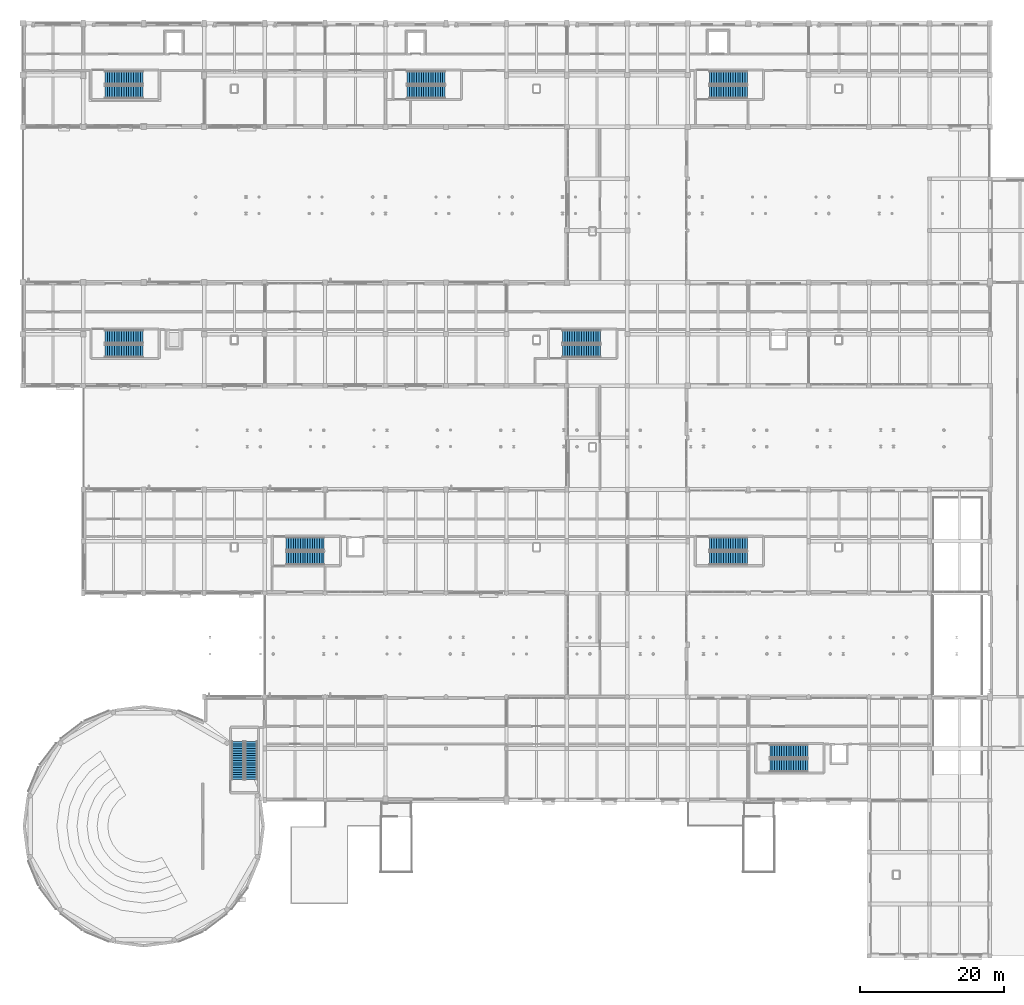
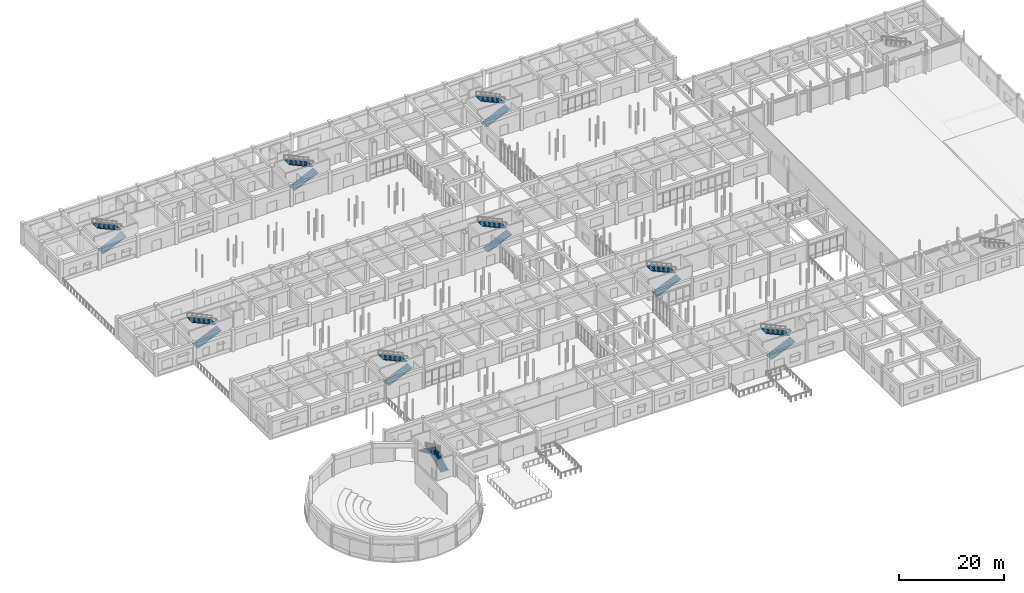
# One storey, part 91 of 121: 18 stair flights, 9 elements without a shape of their own.
"""IFC4 building model written with IfcOpenShell, lengths in metres."""

from ifc_helpers import new_model, si_unit, direction, frame, origin, place, context, subcontext, project, spatial, polyline, outline, extrude, material, layer, layer_set, type_object, element, aggregate, save


model = new_model("IFC4")

# Units and contexts
model_context = context("Model", 3, precision=1e-05, world=origin(), true_north=direction((0.0, 1.0)))
body_context = subcontext(model_context, "Body", "Model", "MODEL_VIEW")
ifc_project = project(units=[si_unit("LENGTHUNIT", "METRE"), si_unit("AREAUNIT", "SQUARE_METRE"), si_unit("VOLUMEUNIT", "CUBIC_METRE"), si_unit("PLANEANGLEUNIT", "RADIAN"), si_unit("MASSUNIT", "GRAM", prefix="KILO")], contexts=[model_context])

# Site, building, storey
site_placement = place(None, origin())
site = spatial("IfcSite", under=ifc_project, at=site_placement, CompositionType="ELEMENT")
building_placement = place(site_placement, origin())
building = spatial("IfcBuilding", under=site, at=building_placement, Name="Malvenik Polytechnic", CompositionType="ELEMENT")
storey_placement = place(building_placement, origin())
storey = spatial("IfcBuildingStorey", under=building, at=storey_placement, Name="L00", CompositionType="ELEMENT", Elevation=0.0)

# Stair, stair flights
ifc_material = material(Name="Concrete C35/45", Category="concrete")
stair_type_1 = type_object("IfcStairType", Name="ARC-STR-ST-09", PredefinedType="HALF_TURN_STAIR", material=ifc_material)
stair_1_placement = place(storey_placement, origin())
stair_1 = element("IfcStair", 1, at=stair_1_placement, inside=storey, type_object=stair_type_1, Name="L00 Escape Stair ST-09", PredefinedType="HALF_TURN_STAIR")
ifc_layer_1 = layer(ifc_material, 0.159912109375)
ifc_layer_set_1 = layer_set([ifc_layer_1], Name="Concrete C35/45")
stair_flight_type_1 = type_object("IfcStairFlightType", Name="ARC-SFL-SFL-170A", PredefinedType="STRAIGHT", material=ifc_layer_set_1)
stair_flight_1_placement = place(storey_placement, frame((31.75, 24.5, 0.0), z_axis=(0.0, 0.0, 1.0), x_axis=(0.0, 1.0, 0.0)))
stair_flight_1 = element("IfcStairFlight", 2, at=stair_flight_1_placement, type_object=stair_flight_type_1, Name="ST-09 flight 1", NumberOfRisers=17, NumberOfTreads=16, PredefinedType="STRAIGHT", RiserHeight=0.15, TreadLength=0.33, context=body_context, shape_type="SweptSolid", body=[
    extrude(outline(polyline([(0.0, 0.0), (0.0, 0.14990234375), (0.330078125, 0.14990234375), (0.330078125, 0.300048828125), (0.659912109375, 0.300048828125), (0.659912109375, 0.449951171875), (0.989990234375, 0.449951171875), (0.989990234375, 0.60009765625), (1.320068359375, 0.60009765625), (1.320068359375, 0.75), (1.64990234375, 0.75), (1.64990234375, 0.89990234375), (1.97998046875, 0.89990234375), (1.97998046875, 1.050048828125), (2.31005859375, 1.050048828125), (2.31005859375, 1.199951171875), (2.639892578125, 1.199951171875), (2.639892578125, 1.35009765625), (2.969970703125, 1.35009765625), (2.969970703125, 1.5), (3.300048828125, 1.5), (3.300048828125, 1.64990234375), (3.6298828125, 1.64990234375), (3.6298828125, 1.800048828125), (3.9599609375, 1.800048828125), (3.9599609375, 1.949951171875), (4.2900390625, 1.949951171875), (4.2900390625, 2.10009765625), (4.6201171875, 2.10009765625), (4.6201171875, 2.25), (4.949951171875, 2.25), (4.949951171875, 2.39990234375), (5.280029296875, 2.39990234375), (5.280029296875, 2.550048828125), (5.280029296875, 2.224365234375), (0.386474609375, 0.0), (0.0, 0.0)])), frame((0.0, 0.85009765625, 0.0), z_axis=(0.0, -1.0, 0.0), x_axis=(1.0, 0.0, 0.0)), (0.0, 0.0, 1.0), 1.699951171875),
])
stair_flight_2_placement = place(storey_placement, frame((29.85009765625, 29.780029296875, 2.550048828125), z_axis=(0.0, 0.0, 1.0), x_axis=(0.0, -1.0, 0.0)))
stair_flight_2 = element("IfcStairFlight", 3, at=stair_flight_2_placement, type_object=stair_flight_type_1, Name="ST-09 flight 2", NumberOfRisers=17, NumberOfTreads=16, PredefinedType="STRAIGHT", RiserHeight=0.15, TreadLength=0.33, context=body_context, shape_type="SweptSolid", body=[
    extrude(outline(polyline([(0.0, 0.0), (0.0, 0.14990234375), (0.330078125, 0.14990234375), (0.330078125, 0.300048828125), (0.659912109375, 0.300048828125), (0.659912109375, 0.449951171875), (0.989990234375, 0.449951171875), (0.989990234375, 0.60009765625), (1.320068359375, 0.60009765625), (1.320068359375, 0.75), (1.64990234375, 0.75), (1.64990234375, 0.89990234375), (1.97998046875, 0.89990234375), (1.97998046875, 1.050048828125), (2.31005859375, 1.050048828125), (2.31005859375, 1.199951171875), (2.639892578125, 1.199951171875), (2.639892578125, 1.35009765625), (2.969970703125, 1.35009765625), (2.969970703125, 1.5), (3.300048828125, 1.5), (3.300048828125, 1.64990234375), (3.6298828125, 1.64990234375), (3.6298828125, 1.800048828125), (3.9599609375, 1.800048828125), (3.9599609375, 1.949951171875), (4.2900390625, 1.949951171875), (4.2900390625, 2.10009765625), (4.6201171875, 2.10009765625), (4.6201171875, 2.25), (4.949951171875, 2.25), (4.949951171875, 2.39990234375), (5.280029296875, 2.39990234375), (5.280029296875, 2.550048828125), (5.280029296875, 2.224365234375), (0.386474609375, 0.0), (0.0, 0.0)])), frame((0.0, 0.85009765625, 0.0), z_axis=(0.0, -1.0, 0.0), x_axis=(1.0, 0.0, 0.0)), (0.0, 0.0, 1.0), 1.699951171875),
])
aggregate(stair_1, [stair_flight_1, stair_flight_2])

stair_type_2 = type_object("IfcStairType", Name="ARC-STR-ST-01", PredefinedType="HALF_TURN_STAIR", material=ifc_material)
stair_2_placement = place(storey_placement, origin())
stair_2 = element("IfcStair", 4, at=stair_2_placement, inside=storey, type_object=stair_type_2, Name="L00 Escape Stair ST-01", PredefinedType="HALF_TURN_STAIR")
ifc_layer_2 = layer(ifc_material, 0.159912109375)
ifc_layer_set_2 = layer_set([ifc_layer_2], Name="Concrete C35/45")
stair_flight_type_2 = type_object("IfcStairFlightType", Name="ARC-SFL-SFL-180A", PredefinedType="STRAIGHT", material=ifc_layer_set_2)
stair_flight_3_placement = place(storey_placement, frame((11.39990234375, 120.050048828125, 0.0), z_axis=(0.0, 0.0, 1.0), x_axis=(1.0, 0.0, 0.0)))
stair_flight_3 = element("IfcStairFlight", 5, at=stair_flight_3_placement, type_object=stair_flight_type_2, Name="ST-01 flight 1", NumberOfRisers=17, NumberOfTreads=16, PredefinedType="STRAIGHT", RiserHeight=0.15, TreadLength=0.33, context=body_context, shape_type="SweptSolid", body=[
    extrude(outline(polyline([(0.0, 0.0), (0.0, 0.14990234375), (0.330078125, 0.14990234375), (0.330078125, 0.300048828125), (0.659912109375, 0.300048828125), (0.659912109375, 0.449951171875), (0.989990234375, 0.449951171875), (0.989990234375, 0.60009765625), (1.320068359375, 0.60009765625), (1.320068359375, 0.75), (1.64990234375, 0.75), (1.64990234375, 0.89990234375), (1.97998046875, 0.89990234375), (1.97998046875, 1.050048828125), (2.31005859375, 1.050048828125), (2.31005859375, 1.199951171875), (2.639892578125, 1.199951171875), (2.639892578125, 1.35009765625), (2.969970703125, 1.35009765625), (2.969970703125, 1.5), (3.300048828125, 1.5), (3.300048828125, 1.64990234375), (3.6298828125, 1.64990234375), (3.6298828125, 1.800048828125), (3.9599609375, 1.800048828125), (3.9599609375, 1.949951171875), (4.2900390625, 1.949951171875), (4.2900390625, 2.10009765625), (4.6201171875, 2.10009765625), (4.6201171875, 2.25), (4.949951171875, 2.25), (4.949951171875, 2.39990234375), (5.280029296875, 2.39990234375), (5.280029296875, 2.550048828125), (5.280029296875, 2.224365234375), (0.386474609375, 0.0), (0.0, 0.0)])), frame((0.0, 0.89990234375, 0.0), z_axis=(0.0, -1.0, 0.0), x_axis=(1.0, 0.0, 0.0)), (0.0, 0.0, 1.0), 1.800048828125),
])
stair_flight_4_placement = place(storey_placement, frame((16.679931640625, 122.050048828125, 2.550048828125), z_axis=(0.0, 0.0, 1.0), x_axis=(-1.0, 0.0, 0.0)))
stair_flight_4 = element("IfcStairFlight", 6, at=stair_flight_4_placement, type_object=stair_flight_type_2, Name="ST-01 flight 2", NumberOfRisers=17, NumberOfTreads=16, PredefinedType="STRAIGHT", RiserHeight=0.15, TreadLength=0.33, context=body_context, shape_type="SweptSolid", body=[
    extrude(outline(polyline([(0.0, 0.0), (0.0, 0.14990234375), (0.330078125, 0.14990234375), (0.330078125, 0.300048828125), (0.659912109375, 0.300048828125), (0.659912109375, 0.449951171875), (0.989990234375, 0.449951171875), (0.989990234375, 0.60009765625), (1.320068359375, 0.60009765625), (1.320068359375, 0.75), (1.64990234375, 0.75), (1.64990234375, 0.89990234375), (1.97998046875, 0.89990234375), (1.97998046875, 1.050048828125), (2.31005859375, 1.050048828125), (2.31005859375, 1.199951171875), (2.639892578125, 1.199951171875), (2.639892578125, 1.35009765625), (2.969970703125, 1.35009765625), (2.969970703125, 1.5), (3.300048828125, 1.5), (3.300048828125, 1.64990234375), (3.6298828125, 1.64990234375), (3.6298828125, 1.800048828125), (3.9599609375, 1.800048828125), (3.9599609375, 1.949951171875), (4.2900390625, 1.949951171875), (4.2900390625, 2.10009765625), (4.6201171875, 2.10009765625), (4.6201171875, 2.25), (4.949951171875, 2.25), (4.949951171875, 2.39990234375), (5.280029296875, 2.39990234375), (5.280029296875, 2.550048828125), (5.280029296875, 2.224365234375), (0.386474609375, 0.0), (0.0, 0.0)])), frame((0.0, 0.89990234375, 0.0), z_axis=(0.0, -1.0, 0.0), x_axis=(1.0, 0.0, 0.0)), (0.0, 0.0, 1.0), 1.800048828125),
])
aggregate(stair_2, [stair_flight_3, stair_flight_4])

stair_type_3 = type_object("IfcStairType", Name="ARC-STR-ST-03", PredefinedType="HALF_TURN_STAIR", material=ifc_material)
stair_3_placement = place(storey_placement, origin())
stair_3 = element("IfcStair", 7, at=stair_3_placement, inside=storey, type_object=stair_type_3, Name="L00 Escape Stair ST-03", PredefinedType="HALF_TURN_STAIR")
stair_flight_5_placement = place(storey_placement, frame((95.39990234375, 120.050048828125, 0.0), z_axis=(0.0, 0.0, 1.0), x_axis=(1.0, 0.0, 0.0)))
stair_flight_5 = element("IfcStairFlight", 8, at=stair_flight_5_placement, type_object=stair_flight_type_2, Name="ST-03 flight 1", NumberOfRisers=17, NumberOfTreads=16, PredefinedType="STRAIGHT", RiserHeight=0.15, TreadLength=0.33, context=body_context, shape_type="SweptSolid", body=[
    extrude(outline(polyline([(0.0, 0.0), (0.0, 0.14990234375), (0.330078125, 0.14990234375), (0.330078125, 0.300048828125), (0.659912109375, 0.300048828125), (0.659912109375, 0.449951171875), (0.989990234375, 0.449951171875), (0.989990234375, 0.60009765625), (1.320068359375, 0.60009765625), (1.320068359375, 0.75), (1.64990234375, 0.75), (1.64990234375, 0.89990234375), (1.97998046875, 0.89990234375), (1.97998046875, 1.050048828125), (2.31005859375, 1.050048828125), (2.31005859375, 1.199951171875), (2.639892578125, 1.199951171875), (2.639892578125, 1.35009765625), (2.969970703125, 1.35009765625), (2.969970703125, 1.5), (3.300048828125, 1.5), (3.300048828125, 1.64990234375), (3.6298828125, 1.64990234375), (3.6298828125, 1.800048828125), (3.9599609375, 1.800048828125), (3.9599609375, 1.949951171875), (4.2900390625, 1.949951171875), (4.2900390625, 2.10009765625), (4.6201171875, 2.10009765625), (4.6201171875, 2.25), (4.949951171875, 2.25), (4.949951171875, 2.39990234375), (5.280029296875, 2.39990234375), (5.280029296875, 2.550048828125), (5.280029296875, 2.224365234375), (0.386474609375, 0.0), (0.0, 0.0)])), frame((0.0, 0.89990234375, 0.0), z_axis=(0.0, -1.0, 0.0), x_axis=(1.0, 0.0, 0.0)), (0.0, 0.0, 1.0), 1.800048828125),
])
stair_flight_6_placement = place(storey_placement, frame((100.679931640625, 122.050048828125, 2.550048828125), z_axis=(0.0, 0.0, 1.0), x_axis=(-1.0, 0.0, 0.0)))
stair_flight_6 = element("IfcStairFlight", 9, at=stair_flight_6_placement, type_object=stair_flight_type_2, Name="ST-03 flight 2", NumberOfRisers=17, NumberOfTreads=16, PredefinedType="STRAIGHT", RiserHeight=0.15, TreadLength=0.33, context=body_context, shape_type="SweptSolid", body=[
    extrude(outline(polyline([(0.0, 0.0), (0.0, 0.14990234375), (0.330078125, 0.14990234375), (0.330078125, 0.300048828125), (0.659912109375, 0.300048828125), (0.659912109375, 0.449951171875), (0.989990234375, 0.449951171875), (0.989990234375, 0.60009765625), (1.320068359375, 0.60009765625), (1.320068359375, 0.75), (1.64990234375, 0.75), (1.64990234375, 0.89990234375), (1.97998046875, 0.89990234375), (1.97998046875, 1.050048828125), (2.31005859375, 1.050048828125), (2.31005859375, 1.199951171875), (2.639892578125, 1.199951171875), (2.639892578125, 1.35009765625), (2.969970703125, 1.35009765625), (2.969970703125, 1.5), (3.300048828125, 1.5), (3.300048828125, 1.64990234375), (3.6298828125, 1.64990234375), (3.6298828125, 1.800048828125), (3.9599609375, 1.800048828125), (3.9599609375, 1.949951171875), (4.2900390625, 1.949951171875), (4.2900390625, 2.10009765625), (4.6201171875, 2.10009765625), (4.6201171875, 2.25), (4.949951171875, 2.25), (4.949951171875, 2.39990234375), (5.280029296875, 2.39990234375), (5.280029296875, 2.550048828125), (5.280029296875, 2.224365234375), (0.386474609375, 0.0), (0.0, 0.0)])), frame((0.0, 0.89990234375, 0.0), z_axis=(0.0, -1.0, 0.0), x_axis=(1.0, 0.0, 0.0)), (0.0, 0.0, 1.0), 1.800048828125),
])
aggregate(stair_3, [stair_flight_5, stair_flight_6])

stair_type_4 = type_object("IfcStairType", Name="ARC-STR-ST-05", PredefinedType="HALF_TURN_STAIR", material=ifc_material)
stair_4_placement = place(storey_placement, origin())
stair_4 = element("IfcStair", 10, at=stair_4_placement, inside=storey, type_object=stair_type_4, Name="L00 Escape Stair ST-05", PredefinedType="HALF_TURN_STAIR")
stair_flight_7_placement = place(storey_placement, frame((75.0, 84.050048828125, 0.0), z_axis=(0.0, 0.0, 1.0), x_axis=(1.0, 0.0, 0.0)))
stair_flight_7 = element("IfcStairFlight", 11, at=stair_flight_7_placement, type_object=stair_flight_type_2, Name="ST-05 flight 1", NumberOfRisers=17, NumberOfTreads=16, PredefinedType="STRAIGHT", RiserHeight=0.15, TreadLength=0.33, context=body_context, shape_type="SweptSolid", body=[
    extrude(outline(polyline([(0.0, 0.0), (0.0, 0.14990234375), (0.330078125, 0.14990234375), (0.330078125, 0.300048828125), (0.659912109375, 0.300048828125), (0.659912109375, 0.449951171875), (0.989990234375, 0.449951171875), (0.989990234375, 0.60009765625), (1.320068359375, 0.60009765625), (1.320068359375, 0.75), (1.64990234375, 0.75), (1.64990234375, 0.89990234375), (1.97998046875, 0.89990234375), (1.97998046875, 1.050048828125), (2.31005859375, 1.050048828125), (2.31005859375, 1.199951171875), (2.639892578125, 1.199951171875), (2.639892578125, 1.35009765625), (2.969970703125, 1.35009765625), (2.969970703125, 1.5), (3.300048828125, 1.5), (3.300048828125, 1.64990234375), (3.6298828125, 1.64990234375), (3.6298828125, 1.800048828125), (3.9599609375, 1.800048828125), (3.9599609375, 1.949951171875), (4.2900390625, 1.949951171875), (4.2900390625, 2.10009765625), (4.6201171875, 2.10009765625), (4.6201171875, 2.25), (4.949951171875, 2.25), (4.949951171875, 2.39990234375), (5.280029296875, 2.39990234375), (5.280029296875, 2.550048828125), (5.280029296875, 2.224365234375), (0.386474609375, 0.0), (0.0, 0.0)])), frame((0.0, 0.89990234375, 0.0), z_axis=(0.0, -1.0, 0.0), x_axis=(1.0, 0.0, 0.0)), (0.0, 0.0, 1.0), 1.800048828125),
])
stair_flight_8_placement = place(storey_placement, frame((80.280029296875, 86.050048828125, 2.550048828125), z_axis=(0.0, 0.0, 1.0), x_axis=(-1.0, 0.0, 0.0)))
stair_flight_8 = element("IfcStairFlight", 12, at=stair_flight_8_placement, type_object=stair_flight_type_2, Name="ST-05 flight 2", NumberOfRisers=17, NumberOfTreads=16, PredefinedType="STRAIGHT", RiserHeight=0.15, TreadLength=0.33, context=body_context, shape_type="SweptSolid", body=[
    extrude(outline(polyline([(0.0, 0.0), (0.0, 0.14990234375), (0.330078125, 0.14990234375), (0.330078125, 0.300048828125), (0.659912109375, 0.300048828125), (0.659912109375, 0.449951171875), (0.989990234375, 0.449951171875), (0.989990234375, 0.60009765625), (1.320068359375, 0.60009765625), (1.320068359375, 0.75), (1.64990234375, 0.75), (1.64990234375, 0.89990234375), (1.97998046875, 0.89990234375), (1.97998046875, 1.050048828125), (2.31005859375, 1.050048828125), (2.31005859375, 1.199951171875), (2.639892578125, 1.199951171875), (2.639892578125, 1.35009765625), (2.969970703125, 1.35009765625), (2.969970703125, 1.5), (3.300048828125, 1.5), (3.300048828125, 1.64990234375), (3.6298828125, 1.64990234375), (3.6298828125, 1.800048828125), (3.9599609375, 1.800048828125), (3.9599609375, 1.949951171875), (4.2900390625, 1.949951171875), (4.2900390625, 2.10009765625), (4.6201171875, 2.10009765625), (4.6201171875, 2.25), (4.949951171875, 2.25), (4.949951171875, 2.39990234375), (5.280029296875, 2.39990234375), (5.280029296875, 2.550048828125), (5.280029296875, 2.224365234375), (0.386474609375, 0.0), (0.0, 0.0)])), frame((0.0, 0.89990234375, 0.0), z_axis=(0.0, -1.0, 0.0), x_axis=(1.0, 0.0, 0.0)), (0.0, 0.0, 1.0), 1.800048828125),
])
aggregate(stair_4, [stair_flight_7, stair_flight_8])

stair_type_5 = type_object("IfcStairType", Name="ARC-STR-ST-07", PredefinedType="HALF_TURN_STAIR", material=ifc_material)
stair_5_placement = place(storey_placement, origin())
stair_5 = element("IfcStair", 13, at=stair_5_placement, inside=storey, type_object=stair_type_5, Name="L00 Escape Stair ST-07", PredefinedType="HALF_TURN_STAIR")
stair_flight_9_placement = place(storey_placement, frame((95.39990234375, 55.25, 0.0), z_axis=(0.0, 0.0, 1.0), x_axis=(1.0, 0.0, 0.0)))
stair_flight_9 = element("IfcStairFlight", 14, at=stair_flight_9_placement, type_object=stair_flight_type_2, Name="ST-07 flight 1", NumberOfRisers=17, NumberOfTreads=16, PredefinedType="STRAIGHT", RiserHeight=0.15, TreadLength=0.33, context=body_context, shape_type="SweptSolid", body=[
    extrude(outline(polyline([(0.0, 0.0), (0.0, 0.14990234375), (0.330078125, 0.14990234375), (0.330078125, 0.300048828125), (0.659912109375, 0.300048828125), (0.659912109375, 0.449951171875), (0.989990234375, 0.449951171875), (0.989990234375, 0.60009765625), (1.320068359375, 0.60009765625), (1.320068359375, 0.75), (1.64990234375, 0.75), (1.64990234375, 0.89990234375), (1.97998046875, 0.89990234375), (1.97998046875, 1.050048828125), (2.31005859375, 1.050048828125), (2.31005859375, 1.199951171875), (2.639892578125, 1.199951171875), (2.639892578125, 1.35009765625), (2.969970703125, 1.35009765625), (2.969970703125, 1.5), (3.300048828125, 1.5), (3.300048828125, 1.64990234375), (3.6298828125, 1.64990234375), (3.6298828125, 1.800048828125), (3.9599609375, 1.800048828125), (3.9599609375, 1.949951171875), (4.2900390625, 1.949951171875), (4.2900390625, 2.10009765625), (4.6201171875, 2.10009765625), (4.6201171875, 2.25), (4.949951171875, 2.25), (4.949951171875, 2.39990234375), (5.280029296875, 2.39990234375), (5.280029296875, 2.550048828125), (5.280029296875, 2.224365234375), (0.386474609375, 0.0), (0.0, 0.0)])), frame((0.0, 0.89990234375, 0.0), z_axis=(0.0, -1.0, 0.0), x_axis=(1.0, 0.0, 0.0)), (0.0, 0.0, 1.0), 1.800048828125),
])
stair_flight_10_placement = place(storey_placement, frame((100.679931640625, 57.25, 2.550048828125), z_axis=(0.0, 0.0, 1.0), x_axis=(-1.0, 0.0, 0.0)))
stair_flight_10 = element("IfcStairFlight", 15, at=stair_flight_10_placement, type_object=stair_flight_type_2, Name="ST-07 flight 2", NumberOfRisers=17, NumberOfTreads=16, PredefinedType="STRAIGHT", RiserHeight=0.15, TreadLength=0.33, context=body_context, shape_type="SweptSolid", body=[
    extrude(outline(polyline([(0.0, 0.0), (0.0, 0.14990234375), (0.330078125, 0.14990234375), (0.330078125, 0.300048828125), (0.659912109375, 0.300048828125), (0.659912109375, 0.449951171875), (0.989990234375, 0.449951171875), (0.989990234375, 0.60009765625), (1.320068359375, 0.60009765625), (1.320068359375, 0.75), (1.64990234375, 0.75), (1.64990234375, 0.89990234375), (1.97998046875, 0.89990234375), (1.97998046875, 1.050048828125), (2.31005859375, 1.050048828125), (2.31005859375, 1.199951171875), (2.639892578125, 1.199951171875), (2.639892578125, 1.35009765625), (2.969970703125, 1.35009765625), (2.969970703125, 1.5), (3.300048828125, 1.5), (3.300048828125, 1.64990234375), (3.6298828125, 1.64990234375), (3.6298828125, 1.800048828125), (3.9599609375, 1.800048828125), (3.9599609375, 1.949951171875), (4.2900390625, 1.949951171875), (4.2900390625, 2.10009765625), (4.6201171875, 2.10009765625), (4.6201171875, 2.25), (4.949951171875, 2.25), (4.949951171875, 2.39990234375), (5.280029296875, 2.39990234375), (5.280029296875, 2.550048828125), (5.280029296875, 2.224365234375), (0.386474609375, 0.0), (0.0, 0.0)])), frame((0.0, 0.89990234375, 0.0), z_axis=(0.0, -1.0, 0.0), x_axis=(1.0, 0.0, 0.0)), (0.0, 0.0, 1.0), 1.800048828125),
])
aggregate(stair_5, [stair_flight_9, stair_flight_10])

stair_type_6 = type_object("IfcStairType", Name="ARC-STR-ST-02", PredefinedType="HALF_TURN_STAIR", material=ifc_material)
stair_6_placement = place(storey_placement, origin())
stair_6 = element("IfcStair", 16, at=stair_6_placement, inside=storey, type_object=stair_type_6, Name="L00 Escape Stair ST-02", PredefinedType="HALF_TURN_STAIR")
ifc_layer_3 = layer(ifc_material, 0.179931640625)
ifc_layer_set_3 = layer_set([ifc_layer_3], Name="Concrete C35/45")
stair_flight_type_3 = type_object("IfcStairFlightType", Name="ARC-SFL-SFL-180B", PredefinedType="STRAIGHT", material=ifc_layer_set_3)
stair_flight_11_placement = place(storey_placement, frame((53.39990234375, 120.050048828125, 0.0), z_axis=(0.0, 0.0, 1.0), x_axis=(1.0, 0.0, 0.0)))
stair_flight_11 = element("IfcStairFlight", 17, at=stair_flight_11_placement, type_object=stair_flight_type_3, Name="ST-02 flight 1", NumberOfRisers=17, NumberOfTreads=16, PredefinedType="STRAIGHT", RiserHeight=0.15, TreadLength=0.33, context=body_context, shape_type="SweptSolid", body=[
    extrude(outline(polyline([(0.0, 0.0), (0.0, 0.14990234375), (0.330078125, 0.14990234375), (0.330078125, 0.300048828125), (0.659912109375, 0.300048828125), (0.659912109375, 0.449951171875), (0.989990234375, 0.449951171875), (0.989990234375, 0.60009765625), (1.320068359375, 0.60009765625), (1.320068359375, 0.75), (1.64990234375, 0.75), (1.64990234375, 0.89990234375), (1.97998046875, 0.89990234375), (1.97998046875, 1.050048828125), (2.31005859375, 1.050048828125), (2.31005859375, 1.199951171875), (2.639892578125, 1.199951171875), (2.639892578125, 1.35009765625), (2.969970703125, 1.35009765625), (2.969970703125, 1.5), (3.300048828125, 1.5), (3.300048828125, 1.64990234375), (3.6298828125, 1.64990234375), (3.6298828125, 1.800048828125), (3.9599609375, 1.800048828125), (3.9599609375, 1.949951171875), (4.2900390625, 1.949951171875), (4.2900390625, 2.10009765625), (4.6201171875, 2.10009765625), (4.6201171875, 2.25), (4.949951171875, 2.25), (4.949951171875, 2.39990234375), (5.280029296875, 2.39990234375), (5.280029296875, 2.550048828125), (5.280029296875, 2.224365234375), (0.386474609375, 0.0), (0.0, 0.0)])), frame((0.0, 0.89990234375, 0.0), z_axis=(0.0, -1.0, 0.0), x_axis=(1.0, 0.0, 0.0)), (0.0, 0.0, 1.0), 1.800048828125),
])
stair_flight_12_placement = place(storey_placement, frame((58.679931640625, 122.050048828125, 2.550048828125), z_axis=(0.0, 0.0, 1.0), x_axis=(-1.0, 0.0, 0.0)))
stair_flight_12 = element("IfcStairFlight", 18, at=stair_flight_12_placement, type_object=stair_flight_type_3, Name="ST-02 flight 2", NumberOfRisers=17, NumberOfTreads=16, PredefinedType="STRAIGHT", RiserHeight=0.15, TreadLength=0.33, context=body_context, shape_type="SweptSolid", body=[
    extrude(outline(polyline([(0.0, 0.0), (0.0, 0.14990234375), (0.330078125, 0.14990234375), (0.330078125, 0.300048828125), (0.659912109375, 0.300048828125), (0.659912109375, 0.449951171875), (0.989990234375, 0.449951171875), (0.989990234375, 0.60009765625), (1.320068359375, 0.60009765625), (1.320068359375, 0.75), (1.64990234375, 0.75), (1.64990234375, 0.89990234375), (1.97998046875, 0.89990234375), (1.97998046875, 1.050048828125), (2.31005859375, 1.050048828125), (2.31005859375, 1.199951171875), (2.639892578125, 1.199951171875), (2.639892578125, 1.35009765625), (2.969970703125, 1.35009765625), (2.969970703125, 1.5), (3.300048828125, 1.5), (3.300048828125, 1.64990234375), (3.6298828125, 1.64990234375), (3.6298828125, 1.800048828125), (3.9599609375, 1.800048828125), (3.9599609375, 1.949951171875), (4.2900390625, 1.949951171875), (4.2900390625, 2.10009765625), (4.6201171875, 2.10009765625), (4.6201171875, 2.25), (4.949951171875, 2.25), (4.949951171875, 2.39990234375), (5.280029296875, 2.39990234375), (5.280029296875, 2.550048828125), (5.280029296875, 2.224365234375), (0.386474609375, 0.0), (0.0, 0.0)])), frame((0.0, 0.89990234375, 0.0), z_axis=(0.0, -1.0, 0.0), x_axis=(1.0, 0.0, 0.0)), (0.0, 0.0, 1.0), 1.800048828125),
])
aggregate(stair_6, [stair_flight_11, stair_flight_12])

stair_type_7 = type_object("IfcStairType", Name="ARC-STR-ST-04", PredefinedType="HALF_TURN_STAIR", material=ifc_material)
stair_7_placement = place(storey_placement, origin())
stair_7 = element("IfcStair", 19, at=stair_7_placement, inside=storey, type_object=stair_type_7, Name="L00 Escape Stair ST-04", PredefinedType="HALF_TURN_STAIR")
stair_flight_13_placement = place(storey_placement, frame((11.39990234375, 84.050048828125, 0.0), z_axis=(0.0, 0.0, 1.0), x_axis=(1.0, 0.0, 0.0)))
stair_flight_13 = element("IfcStairFlight", 20, at=stair_flight_13_placement, type_object=stair_flight_type_3, Name="ST-04 flight 1", NumberOfRisers=17, NumberOfTreads=16, PredefinedType="STRAIGHT", RiserHeight=0.15, TreadLength=0.33, context=body_context, shape_type="SweptSolid", body=[
    extrude(outline(polyline([(0.0, 0.0), (0.0, 0.14990234375), (0.330078125, 0.14990234375), (0.330078125, 0.300048828125), (0.659912109375, 0.300048828125), (0.659912109375, 0.449951171875), (0.989990234375, 0.449951171875), (0.989990234375, 0.60009765625), (1.320068359375, 0.60009765625), (1.320068359375, 0.75), (1.64990234375, 0.75), (1.64990234375, 0.89990234375), (1.97998046875, 0.89990234375), (1.97998046875, 1.050048828125), (2.31005859375, 1.050048828125), (2.31005859375, 1.199951171875), (2.639892578125, 1.199951171875), (2.639892578125, 1.35009765625), (2.969970703125, 1.35009765625), (2.969970703125, 1.5), (3.300048828125, 1.5), (3.300048828125, 1.64990234375), (3.6298828125, 1.64990234375), (3.6298828125, 1.800048828125), (3.9599609375, 1.800048828125), (3.9599609375, 1.949951171875), (4.2900390625, 1.949951171875), (4.2900390625, 2.10009765625), (4.6201171875, 2.10009765625), (4.6201171875, 2.25), (4.949951171875, 2.25), (4.949951171875, 2.39990234375), (5.280029296875, 2.39990234375), (5.280029296875, 2.550048828125), (5.280029296875, 2.224365234375), (0.386474609375, 0.0), (0.0, 0.0)])), frame((0.0, 0.89990234375, 0.0), z_axis=(0.0, -1.0, 0.0), x_axis=(1.0, 0.0, 0.0)), (0.0, 0.0, 1.0), 1.800048828125),
])
stair_flight_14_placement = place(storey_placement, frame((16.679931640625, 86.050048828125, 2.550048828125), z_axis=(0.0, 0.0, 1.0), x_axis=(-1.0, 0.0, 0.0)))
stair_flight_14 = element("IfcStairFlight", 21, at=stair_flight_14_placement, type_object=stair_flight_type_3, Name="ST-04 flight 2", NumberOfRisers=17, NumberOfTreads=16, PredefinedType="STRAIGHT", RiserHeight=0.15, TreadLength=0.33, context=body_context, shape_type="SweptSolid", body=[
    extrude(outline(polyline([(0.0, 0.0), (0.0, 0.14990234375), (0.330078125, 0.14990234375), (0.330078125, 0.300048828125), (0.659912109375, 0.300048828125), (0.659912109375, 0.449951171875), (0.989990234375, 0.449951171875), (0.989990234375, 0.60009765625), (1.320068359375, 0.60009765625), (1.320068359375, 0.75), (1.64990234375, 0.75), (1.64990234375, 0.89990234375), (1.97998046875, 0.89990234375), (1.97998046875, 1.050048828125), (2.31005859375, 1.050048828125), (2.31005859375, 1.199951171875), (2.639892578125, 1.199951171875), (2.639892578125, 1.35009765625), (2.969970703125, 1.35009765625), (2.969970703125, 1.5), (3.300048828125, 1.5), (3.300048828125, 1.64990234375), (3.6298828125, 1.64990234375), (3.6298828125, 1.800048828125), (3.9599609375, 1.800048828125), (3.9599609375, 1.949951171875), (4.2900390625, 1.949951171875), (4.2900390625, 2.10009765625), (4.6201171875, 2.10009765625), (4.6201171875, 2.25), (4.949951171875, 2.25), (4.949951171875, 2.39990234375), (5.280029296875, 2.39990234375), (5.280029296875, 2.550048828125), (5.280029296875, 2.224365234375), (0.386474609375, 0.0), (0.0, 0.0)])), frame((0.0, 0.89990234375, 0.0), z_axis=(0.0, -1.0, 0.0), x_axis=(1.0, 0.0, 0.0)), (0.0, 0.0, 1.0), 1.800048828125),
])
aggregate(stair_7, [stair_flight_13, stair_flight_14])

stair_type_8 = type_object("IfcStairType", Name="ARC-STR-ST-06", PredefinedType="HALF_TURN_STAIR", material=ifc_material)
stair_8_placement = place(storey_placement, origin())
stair_8 = element("IfcStair", 22, at=stair_8_placement, inside=storey, type_object=stair_type_8, Name="L00 Escape Stair ST-06", PredefinedType="HALF_TURN_STAIR")
stair_flight_15_placement = place(storey_placement, frame((36.60009765625, 55.25, 0.0), z_axis=(0.0, 0.0, 1.0), x_axis=(1.0, 0.0, 0.0)))
stair_flight_15 = element("IfcStairFlight", 23, at=stair_flight_15_placement, type_object=stair_flight_type_3, Name="ST-06 flight 1", NumberOfRisers=17, NumberOfTreads=16, PredefinedType="STRAIGHT", RiserHeight=0.15, TreadLength=0.33, context=body_context, shape_type="SweptSolid", body=[
    extrude(outline(polyline([(0.0, 0.0), (0.0, 0.14990234375), (0.330078125, 0.14990234375), (0.330078125, 0.300048828125), (0.659912109375, 0.300048828125), (0.659912109375, 0.449951171875), (0.989990234375, 0.449951171875), (0.989990234375, 0.60009765625), (1.320068359375, 0.60009765625), (1.320068359375, 0.75), (1.64990234375, 0.75), (1.64990234375, 0.89990234375), (1.97998046875, 0.89990234375), (1.97998046875, 1.050048828125), (2.31005859375, 1.050048828125), (2.31005859375, 1.199951171875), (2.639892578125, 1.199951171875), (2.639892578125, 1.35009765625), (2.969970703125, 1.35009765625), (2.969970703125, 1.5), (3.300048828125, 1.5), (3.300048828125, 1.64990234375), (3.6298828125, 1.64990234375), (3.6298828125, 1.800048828125), (3.9599609375, 1.800048828125), (3.9599609375, 1.949951171875), (4.2900390625, 1.949951171875), (4.2900390625, 2.10009765625), (4.6201171875, 2.10009765625), (4.6201171875, 2.25), (4.949951171875, 2.25), (4.949951171875, 2.39990234375), (5.280029296875, 2.39990234375), (5.280029296875, 2.550048828125), (5.280029296875, 2.224365234375), (0.386474609375, 0.0), (0.0, 0.0)])), frame((0.0, 0.89990234375, 0.0), z_axis=(0.0, -1.0, 0.0), x_axis=(1.0, 0.0, 0.0)), (0.0, 0.0, 1.0), 1.800048828125),
])
stair_flight_16_placement = place(storey_placement, frame((41.8798828125, 57.25, 2.550048828125), z_axis=(0.0, 0.0, 1.0), x_axis=(-1.0, 0.0, 0.0)))
stair_flight_16 = element("IfcStairFlight", 24, at=stair_flight_16_placement, type_object=stair_flight_type_3, Name="ST-06 flight 2", NumberOfRisers=17, NumberOfTreads=16, PredefinedType="STRAIGHT", RiserHeight=0.15, TreadLength=0.33, context=body_context, shape_type="SweptSolid", body=[
    extrude(outline(polyline([(0.0, 0.0), (0.0, 0.14990234375), (0.330078125, 0.14990234375), (0.330078125, 0.300048828125), (0.659912109375, 0.300048828125), (0.659912109375, 0.449951171875), (0.989990234375, 0.449951171875), (0.989990234375, 0.60009765625), (1.320068359375, 0.60009765625), (1.320068359375, 0.75), (1.64990234375, 0.75), (1.64990234375, 0.89990234375), (1.97998046875, 0.89990234375), (1.97998046875, 1.050048828125), (2.31005859375, 1.050048828125), (2.31005859375, 1.199951171875), (2.639892578125, 1.199951171875), (2.639892578125, 1.35009765625), (2.969970703125, 1.35009765625), (2.969970703125, 1.5), (3.300048828125, 1.5), (3.300048828125, 1.64990234375), (3.6298828125, 1.64990234375), (3.6298828125, 1.800048828125), (3.9599609375, 1.800048828125), (3.9599609375, 1.949951171875), (4.2900390625, 1.949951171875), (4.2900390625, 2.10009765625), (4.6201171875, 2.10009765625), (4.6201171875, 2.25), (4.949951171875, 2.25), (4.949951171875, 2.39990234375), (5.280029296875, 2.39990234375), (5.280029296875, 2.550048828125), (5.280029296875, 2.224365234375), (0.386474609375, 0.0), (0.0, 0.0)])), frame((0.0, 0.89990234375, 0.0), z_axis=(0.0, -1.0, 0.0), x_axis=(1.0, 0.0, 0.0)), (0.0, 0.0, 1.0), 1.800048828125),
])
aggregate(stair_8, [stair_flight_15, stair_flight_16])

stair_type_9 = type_object("IfcStairType", Name="ARC-STR-ST-08", PredefinedType="HALF_TURN_STAIR", material=ifc_material)
stair_9_placement = place(storey_placement, origin())
stair_9 = element("IfcStair", 25, at=stair_9_placement, inside=storey, type_object=stair_type_9, Name="L00 Escape Stair ST-08", PredefinedType="HALF_TURN_STAIR")
stair_flight_17_placement = place(storey_placement, frame((103.800048828125, 26.449951171875, 0.0), z_axis=(0.0, 0.0, 1.0), x_axis=(1.0, 0.0, 0.0)))
stair_flight_17 = element("IfcStairFlight", 26, at=stair_flight_17_placement, type_object=stair_flight_type_3, Name="ST-08 flight 1", NumberOfRisers=17, NumberOfTreads=16, PredefinedType="STRAIGHT", RiserHeight=0.15, TreadLength=0.33, context=body_context, shape_type="SweptSolid", body=[
    extrude(outline(polyline([(0.0, 0.0), (0.0, 0.14990234375), (0.330078125, 0.14990234375), (0.330078125, 0.300048828125), (0.659912109375, 0.300048828125), (0.659912109375, 0.449951171875), (0.989990234375, 0.449951171875), (0.989990234375, 0.60009765625), (1.320068359375, 0.60009765625), (1.320068359375, 0.75), (1.64990234375, 0.75), (1.64990234375, 0.89990234375), (1.97998046875, 0.89990234375), (1.97998046875, 1.050048828125), (2.31005859375, 1.050048828125), (2.31005859375, 1.199951171875), (2.639892578125, 1.199951171875), (2.639892578125, 1.35009765625), (2.969970703125, 1.35009765625), (2.969970703125, 1.5), (3.300048828125, 1.5), (3.300048828125, 1.64990234375), (3.6298828125, 1.64990234375), (3.6298828125, 1.800048828125), (3.9599609375, 1.800048828125), (3.9599609375, 1.949951171875), (4.2900390625, 1.949951171875), (4.2900390625, 2.10009765625), (4.6201171875, 2.10009765625), (4.6201171875, 2.25), (4.949951171875, 2.25), (4.949951171875, 2.39990234375), (5.280029296875, 2.39990234375), (5.280029296875, 2.550048828125), (5.280029296875, 2.224365234375), (0.386474609375, 0.0), (0.0, 0.0)])), frame((0.0, 0.89990234375, 0.0), z_axis=(0.0, -1.0, 0.0), x_axis=(1.0, 0.0, 0.0)), (0.0, 0.0, 1.0), 1.800048828125),
])
stair_flight_18_placement = place(storey_placement, frame((109.080078125, 28.449951171875, 2.550048828125), z_axis=(0.0, 0.0, 1.0), x_axis=(-1.0, 0.0, 0.0)))
stair_flight_18 = element("IfcStairFlight", 27, at=stair_flight_18_placement, type_object=stair_flight_type_3, Name="ST-08 flight 2", NumberOfRisers=17, NumberOfTreads=16, PredefinedType="STRAIGHT", RiserHeight=0.15, TreadLength=0.33, context=body_context, shape_type="SweptSolid", body=[
    extrude(outline(polyline([(0.0, 0.0), (0.0, 0.14990234375), (0.330078125, 0.14990234375), (0.330078125, 0.300048828125), (0.659912109375, 0.300048828125), (0.659912109375, 0.449951171875), (0.989990234375, 0.449951171875), (0.989990234375, 0.60009765625), (1.320068359375, 0.60009765625), (1.320068359375, 0.75), (1.64990234375, 0.75), (1.64990234375, 0.89990234375), (1.97998046875, 0.89990234375), (1.97998046875, 1.050048828125), (2.31005859375, 1.050048828125), (2.31005859375, 1.199951171875), (2.639892578125, 1.199951171875), (2.639892578125, 1.35009765625), (2.969970703125, 1.35009765625), (2.969970703125, 1.5), (3.300048828125, 1.5), (3.300048828125, 1.64990234375), (3.6298828125, 1.64990234375), (3.6298828125, 1.800048828125), (3.9599609375, 1.800048828125), (3.9599609375, 1.949951171875), (4.2900390625, 1.949951171875), (4.2900390625, 2.10009765625), (4.6201171875, 2.10009765625), (4.6201171875, 2.25), (4.949951171875, 2.25), (4.949951171875, 2.39990234375), (5.280029296875, 2.39990234375), (5.280029296875, 2.550048828125), (5.280029296875, 2.224365234375), (0.386474609375, 0.0), (0.0, 0.0)])), frame((0.0, 0.89990234375, 0.0), z_axis=(0.0, -1.0, 0.0), x_axis=(1.0, 0.0, 0.0)), (0.0, 0.0, 1.0), 1.800048828125),
])
aggregate(stair_9, [stair_flight_17, stair_flight_18])

save(model, "model.ifc")
